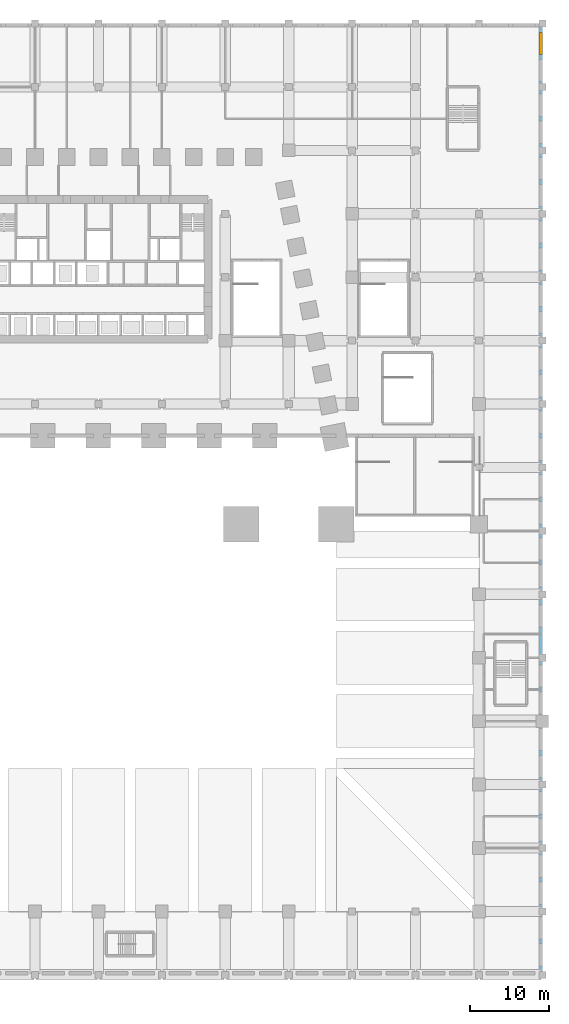
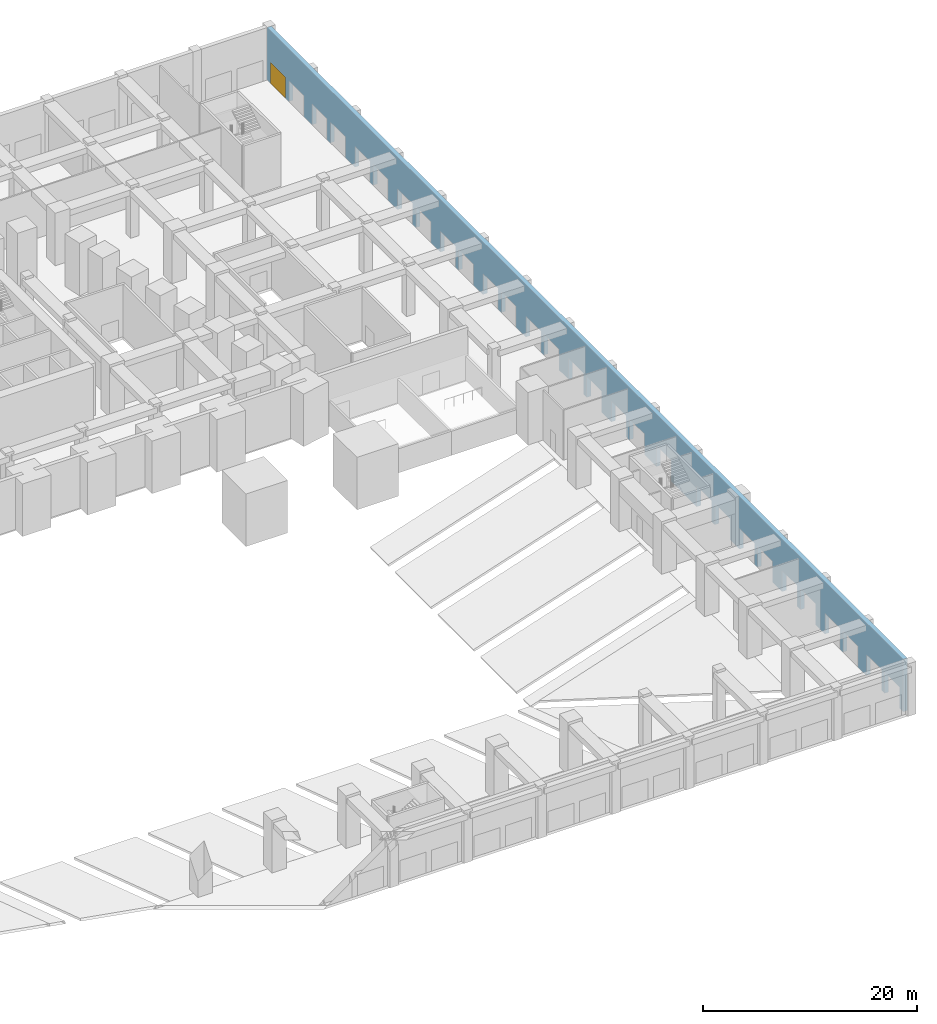
# One storey, part 11 of 28: 1 door, 29 openings, plus 1 element that does not belong to this part.
"""IFC4 building model written with IfcOpenShell, lengths in metres."""

from ifc_helpers import new_model, si_unit, direction, frame, frame_2d, origin, place, context, subcontext, project, spatial, rectangle, extrude, material, layer, layer_set, type_object, element, fill, save


model = new_model("IFC4")

# Units and contexts
model_context = context("Model", 3, precision=1e-05, world=origin(), true_north=direction((0.0, 1.0)))
body_context = subcontext(model_context, "Body", "Model", "MODEL_VIEW")
ifc_project = project(units=[si_unit("LENGTHUNIT", "METRE"), si_unit("AREAUNIT", "SQUARE_METRE"), si_unit("VOLUMEUNIT", "CUBIC_METRE"), si_unit("PLANEANGLEUNIT", "RADIAN"), si_unit("MASSUNIT", "GRAM", prefix="KILO")], contexts=[model_context])

# Site, building, storey
site_placement = place(None, origin())
site = spatial("IfcSite", under=ifc_project, at=site_placement, CompositionType="ELEMENT")
building_placement = place(site_placement, origin())
building = spatial("IfcBuilding", under=site, at=building_placement, Name="Isbrekke Arena Tower", CompositionType="ELEMENT")
storey_placement = place(building_placement, origin())
storey = spatial("IfcBuildingStorey", under=building, at=storey_placement, Name="L00", CompositionType="ELEMENT", Elevation=0.0)

# Wall, openings, door
ifc_material_1 = material(Name="Pale brick facing on concrete backing wall", Category="masonry")
ifc_layer = layer(ifc_material_1, 0.449951171875)
ifc_layer_set = layer_set([ifc_layer], Name="EW1 PODIUM BRICK WALL 450")
wall_type = type_object("IfcWallType", Name="EW1 PODIUM BRICK WALL 450", PredefinedType="SOLIDWALL", material=ifc_layer_set)
wall_placement = place(storey_placement, frame((55.77490234375, -73.550048828125, 0.0), z_axis=(0.0, 0.0, 1.0), x_axis=(0.0, 1.0, 0.0)))
wall = element("IfcWall", 1, at=wall_placement, inside=storey, type_object=wall_type, Name="EW1 podium wall E L00", PredefinedType="SOLIDWALL", context=body_context, shape_type="SweptSolid", body=[
    extrude(rectangle(XDim=119.10009765625, YDim=0.449951171875, at=frame_2d((59.550048828125, 0.0))), origin(), (0.0, 0.0, 1.0), 6.0),
])
opening_1_placement = place(wall_placement, frame((0.675048828125, 0.0, 0.0)))
element("IfcOpeningElement", 2, at=opening_1_placement, cuts=wall, Name="Opening DE1", PredefinedType="OPENING", context=body_context, shape_type="SweptSolid", body=[
    extrude(rectangle(XDim=2.800048828125, YDim=2.39990234375, at=frame_2d((1.39990234375, 1.199951171875))), frame((0.0, 0.23974609375, 0.0), z_axis=(0.0, -1.0, 0.0), x_axis=(1.0, 0.0, 0.0)), (0.0, 0.0, 1.0), 0.479736328125),
])
opening_2_placement = place(wall_placement, frame((4.074951171875, 0.0, 0.0)))
element("IfcOpeningElement", 3, at=opening_2_placement, cuts=wall, Name="Opening DE1", PredefinedType="OPENING", context=body_context, shape_type="SweptSolid", body=[
    extrude(rectangle(XDim=2.800048828125, YDim=2.39990234375, at=frame_2d((1.39990234375, 1.199951171875))), frame((0.0, 0.23974609375, 0.0), z_axis=(0.0, -1.0, 0.0), x_axis=(1.0, 0.0, 0.0)), (0.0, 0.0, 1.0), 0.479736328125),
])
opening_3_placement = place(wall_placement, frame((8.449951171875, 0.0, 0.0)))
element("IfcOpeningElement", 4, at=opening_3_placement, cuts=wall, Name="Opening DE1", PredefinedType="OPENING", context=body_context, shape_type="SweptSolid", body=[
    extrude(rectangle(XDim=2.800048828125, YDim=2.39990234375, at=frame_2d((1.39990234375, 1.199951171875))), frame((0.0, 0.23974609375, 0.0), z_axis=(0.0, -1.0, 0.0), x_axis=(1.0, 0.0, 0.0)), (0.0, 0.0, 1.0), 0.479736328125),
])
opening_4_placement = place(wall_placement, frame((11.85009765625, 0.0, 0.0)))
element("IfcOpeningElement", 5, at=opening_4_placement, cuts=wall, Name="Opening DE1", PredefinedType="OPENING", context=body_context, shape_type="SweptSolid", body=[
    extrude(rectangle(XDim=2.800048828125, YDim=2.39990234375, at=frame_2d((1.39990234375, 1.199951171875))), frame((0.0, 0.23974609375, 0.0), z_axis=(0.0, -1.0, 0.0), x_axis=(1.0, 0.0, 0.0)), (0.0, 0.0, 1.0), 0.479736328125),
])
opening_5_placement = place(wall_placement, frame((16.449951171875, 0.0, 0.0)))
element("IfcOpeningElement", 6, at=opening_5_placement, cuts=wall, Name="Opening DE1", PredefinedType="OPENING", context=body_context, shape_type="SweptSolid", body=[
    extrude(rectangle(XDim=2.800048828125, YDim=2.39990234375, at=frame_2d((1.39990234375, 1.199951171875))), frame((0.0, 0.23974609375, 0.0), z_axis=(0.0, -1.0, 0.0), x_axis=(1.0, 0.0, 0.0)), (0.0, 0.0, 1.0), 0.479736328125),
])
opening_6_placement = place(wall_placement, frame((19.85009765625, 0.0, 0.0)))
element("IfcOpeningElement", 7, at=opening_6_placement, cuts=wall, Name="Opening DE1", PredefinedType="OPENING", context=body_context, shape_type="SweptSolid", body=[
    extrude(rectangle(XDim=2.800048828125, YDim=2.39990234375, at=frame_2d((1.39990234375, 1.199951171875))), frame((0.0, 0.23974609375, 0.0), z_axis=(0.0, -1.0, 0.0), x_axis=(1.0, 0.0, 0.0)), (0.0, 0.0, 1.0), 0.479736328125),
])
opening_7_placement = place(wall_placement, frame((24.449951171875, 0.0, 0.0)))
element("IfcOpeningElement", 8, at=opening_7_placement, cuts=wall, Name="Opening DE1", PredefinedType="OPENING", context=body_context, shape_type="SweptSolid", body=[
    extrude(rectangle(XDim=2.800048828125, YDim=2.39990234375, at=frame_2d((1.39990234375, 1.199951171875))), frame((0.0, 0.23974609375, 0.0), z_axis=(0.0, -1.0, 0.0), x_axis=(1.0, 0.0, 0.0)), (0.0, 0.0, 1.0), 0.479736328125),
])
opening_8_placement = place(wall_placement, frame((27.85009765625, 0.0, 0.0)))
element("IfcOpeningElement", 9, at=opening_8_placement, cuts=wall, Name="Opening DE1", PredefinedType="OPENING", context=body_context, shape_type="SweptSolid", body=[
    extrude(rectangle(XDim=2.800048828125, YDim=2.39990234375, at=frame_2d((1.39990234375, 1.199951171875))), frame((0.0, 0.23974609375, 0.0), z_axis=(0.0, -1.0, 0.0), x_axis=(1.0, 0.0, 0.0)), (0.0, 0.0, 1.0), 0.479736328125),
])
opening_9_placement = place(wall_placement, frame((32.449951171875, 0.0, 0.0)))
element("IfcOpeningElement", 10, at=opening_9_placement, cuts=wall, Name="Opening DE1", PredefinedType="OPENING", context=body_context, shape_type="SweptSolid", body=[
    extrude(rectangle(XDim=2.800048828125, YDim=2.39990234375, at=frame_2d((1.39990234375, 1.199951171875))), frame((0.0, 0.23974609375, 0.0), z_axis=(0.0, -1.0, 0.0), x_axis=(1.0, 0.0, 0.0)), (0.0, 0.0, 1.0), 0.479736328125),
])
opening_10_placement = place(wall_placement, frame((35.85009765625, 0.0, 0.0)))
element("IfcOpeningElement", 11, at=opening_10_placement, cuts=wall, Name="Opening DE1", PredefinedType="OPENING", context=body_context, shape_type="SweptSolid", body=[
    extrude(rectangle(XDim=2.800048828125, YDim=2.39990234375, at=frame_2d((1.39990234375, 1.199951171875))), frame((0.0, 0.23974609375, 0.0), z_axis=(0.0, -1.0, 0.0), x_axis=(1.0, 0.0, 0.0)), (0.0, 0.0, 1.0), 0.479736328125),
])
opening_11_placement = place(wall_placement, frame((43.425048828125, 0.0, 0.0)))
element("IfcOpeningElement", 12, at=opening_11_placement, cuts=wall, Name="Opening DE1", PredefinedType="OPENING", context=body_context, shape_type="SweptSolid", body=[
    extrude(rectangle(XDim=2.800048828125, YDim=2.39990234375, at=frame_2d((1.39990234375, 1.199951171875))), frame((0.0, 0.23974609375, 0.0), z_axis=(0.0, -1.0, 0.0), x_axis=(1.0, 0.0, 0.0)), (0.0, 0.0, 1.0), 0.479736328125),
])
opening_12_placement = place(wall_placement, frame((48.449951171875, 0.0, 0.0)))
element("IfcOpeningElement", 13, at=opening_12_placement, cuts=wall, Name="Opening DE1", PredefinedType="OPENING", context=body_context, shape_type="SweptSolid", body=[
    extrude(rectangle(XDim=2.800048828125, YDim=2.39990234375, at=frame_2d((1.39990234375, 1.199951171875))), frame((0.0, 0.23974609375, 0.0), z_axis=(0.0, -1.0, 0.0), x_axis=(1.0, 0.0, 0.0)), (0.0, 0.0, 1.0), 0.479736328125),
])
opening_13_placement = place(wall_placement, frame((51.85009765625, 0.0, 0.0)))
element("IfcOpeningElement", 14, at=opening_13_placement, cuts=wall, Name="Opening DE1", PredefinedType="OPENING", context=body_context, shape_type="SweptSolid", body=[
    extrude(rectangle(XDim=2.800048828125, YDim=2.39990234375, at=frame_2d((1.39990234375, 1.199951171875))), frame((0.0, 0.23974609375, 0.0), z_axis=(0.0, -1.0, 0.0), x_axis=(1.0, 0.0, 0.0)), (0.0, 0.0, 1.0), 0.479736328125),
])
opening_14_placement = place(wall_placement, frame((56.449951171875, 0.0, 0.0)))
element("IfcOpeningElement", 15, at=opening_14_placement, cuts=wall, Name="Opening DE1", PredefinedType="OPENING", context=body_context, shape_type="SweptSolid", body=[
    extrude(rectangle(XDim=2.800048828125, YDim=2.39990234375, at=frame_2d((1.39990234375, 1.199951171875))), frame((0.0, 0.23974609375, 0.0), z_axis=(0.0, -1.0, 0.0), x_axis=(1.0, 0.0, 0.0)), (0.0, 0.0, 1.0), 0.479736328125),
])
opening_15_placement = place(wall_placement, frame((59.85009765625, 0.0, 0.0)))
element("IfcOpeningElement", 16, at=opening_15_placement, cuts=wall, Name="Opening DE1", PredefinedType="OPENING", context=body_context, shape_type="SweptSolid", body=[
    extrude(rectangle(XDim=2.800048828125, YDim=2.39990234375, at=frame_2d((1.39990234375, 1.199951171875))), frame((0.0, 0.23974609375, 0.0), z_axis=(0.0, -1.0, 0.0), x_axis=(1.0, 0.0, 0.0)), (0.0, 0.0, 1.0), 0.479736328125),
])
opening_16_placement = place(wall_placement, frame((64.449951171875, 0.0, 0.0)))
element("IfcOpeningElement", 17, at=opening_16_placement, cuts=wall, Name="Opening DE1", PredefinedType="OPENING", context=body_context, shape_type="SweptSolid", body=[
    extrude(rectangle(XDim=2.800048828125, YDim=2.39990234375, at=frame_2d((1.39990234375, 1.199951171875))), frame((0.0, 0.23974609375, 0.0), z_axis=(0.0, -1.0, 0.0), x_axis=(1.0, 0.0, 0.0)), (0.0, 0.0, 1.0), 0.479736328125),
])
opening_17_placement = place(wall_placement, frame((67.85009765625, 0.0, 0.0)))
element("IfcOpeningElement", 18, at=opening_17_placement, cuts=wall, Name="Opening DE1", PredefinedType="OPENING", context=body_context, shape_type="SweptSolid", body=[
    extrude(rectangle(XDim=2.800048828125, YDim=2.39990234375, at=frame_2d((1.39990234375, 1.199951171875))), frame((0.0, 0.23974609375, 0.0), z_axis=(0.0, -1.0, 0.0), x_axis=(1.0, 0.0, 0.0)), (0.0, 0.0, 1.0), 0.479736328125),
])
opening_18_placement = place(wall_placement, frame((72.449951171875, 0.0, 0.0)))
element("IfcOpeningElement", 19, at=opening_18_placement, cuts=wall, Name="Opening DE1", PredefinedType="OPENING", context=body_context, shape_type="SweptSolid", body=[
    extrude(rectangle(XDim=2.800048828125, YDim=2.39990234375, at=frame_2d((1.39990234375, 1.199951171875))), frame((0.0, 0.23974609375, 0.0), z_axis=(0.0, -1.0, 0.0), x_axis=(1.0, 0.0, 0.0)), (0.0, 0.0, 1.0), 0.479736328125),
])
opening_19_placement = place(wall_placement, frame((75.85009765625, 0.0, 0.0)))
element("IfcOpeningElement", 20, at=opening_19_placement, cuts=wall, Name="Opening DE1", PredefinedType="OPENING", context=body_context, shape_type="SweptSolid", body=[
    extrude(rectangle(XDim=2.800048828125, YDim=2.39990234375, at=frame_2d((1.39990234375, 1.199951171875))), frame((0.0, 0.23974609375, 0.0), z_axis=(0.0, -1.0, 0.0), x_axis=(1.0, 0.0, 0.0)), (0.0, 0.0, 1.0), 0.479736328125),
])
opening_20_placement = place(wall_placement, frame((80.449951171875, 0.0, 0.0)))
element("IfcOpeningElement", 21, at=opening_20_placement, cuts=wall, Name="Opening DE1", PredefinedType="OPENING", context=body_context, shape_type="SweptSolid", body=[
    extrude(rectangle(XDim=2.800048828125, YDim=2.39990234375, at=frame_2d((1.39990234375, 1.199951171875))), frame((0.0, 0.23974609375, 0.0), z_axis=(0.0, -1.0, 0.0), x_axis=(1.0, 0.0, 0.0)), (0.0, 0.0, 1.0), 0.479736328125),
])
opening_21_placement = place(wall_placement, frame((83.85009765625, 0.0, 0.0)))
element("IfcOpeningElement", 22, at=opening_21_placement, cuts=wall, Name="Opening DE1", PredefinedType="OPENING", context=body_context, shape_type="SweptSolid", body=[
    extrude(rectangle(XDim=2.800048828125, YDim=2.39990234375, at=frame_2d((1.39990234375, 1.199951171875))), frame((0.0, 0.23974609375, 0.0), z_axis=(0.0, -1.0, 0.0), x_axis=(1.0, 0.0, 0.0)), (0.0, 0.0, 1.0), 0.479736328125),
])
opening_22_placement = place(wall_placement, frame((88.449951171875, 0.0, 0.0)))
element("IfcOpeningElement", 23, at=opening_22_placement, cuts=wall, Name="Opening DE1", PredefinedType="OPENING", context=body_context, shape_type="SweptSolid", body=[
    extrude(rectangle(XDim=2.800048828125, YDim=2.39990234375, at=frame_2d((1.39990234375, 1.199951171875))), frame((0.0, 0.23974609375, 0.0), z_axis=(0.0, -1.0, 0.0), x_axis=(1.0, 0.0, 0.0)), (0.0, 0.0, 1.0), 0.479736328125),
])
opening_23_placement = place(wall_placement, frame((91.85009765625, 0.0, 0.0)))
element("IfcOpeningElement", 24, at=opening_23_placement, cuts=wall, Name="Opening DE1", PredefinedType="OPENING", context=body_context, shape_type="SweptSolid", body=[
    extrude(rectangle(XDim=2.800048828125, YDim=2.39990234375, at=frame_2d((1.39990234375, 1.199951171875))), frame((0.0, 0.23974609375, 0.0), z_axis=(0.0, -1.0, 0.0), x_axis=(1.0, 0.0, 0.0)), (0.0, 0.0, 1.0), 0.479736328125),
])
opening_24_placement = place(wall_placement, frame((96.449951171875, 0.0, 0.0)))
element("IfcOpeningElement", 25, at=opening_24_placement, cuts=wall, Name="Opening DE1", PredefinedType="OPENING", context=body_context, shape_type="SweptSolid", body=[
    extrude(rectangle(XDim=2.800048828125, YDim=2.39990234375, at=frame_2d((1.39990234375, 1.199951171875))), frame((0.0, 0.23974609375, 0.0), z_axis=(0.0, -1.0, 0.0), x_axis=(1.0, 0.0, 0.0)), (0.0, 0.0, 1.0), 0.479736328125),
])
opening_25_placement = place(wall_placement, frame((99.85009765625, 0.0, 0.0)))
element("IfcOpeningElement", 26, at=opening_25_placement, cuts=wall, Name="Opening DE1", PredefinedType="OPENING", context=body_context, shape_type="SweptSolid", body=[
    extrude(rectangle(XDim=2.800048828125, YDim=2.39990234375, at=frame_2d((1.39990234375, 1.199951171875))), frame((0.0, 0.23974609375, 0.0), z_axis=(0.0, -1.0, 0.0), x_axis=(1.0, 0.0, 0.0)), (0.0, 0.0, 1.0), 0.479736328125),
])
opening_26_placement = place(wall_placement, frame((104.449951171875, 0.0, 0.0)))
element("IfcOpeningElement", 27, at=opening_26_placement, cuts=wall, Name="Opening DE1", PredefinedType="OPENING", context=body_context, shape_type="SweptSolid", body=[
    extrude(rectangle(XDim=2.800048828125, YDim=2.39990234375, at=frame_2d((1.39990234375, 1.199951171875))), frame((0.0, 0.23974609375, 0.0), z_axis=(0.0, -1.0, 0.0), x_axis=(1.0, 0.0, 0.0)), (0.0, 0.0, 1.0), 0.479736328125),
])
opening_27_placement = place(wall_placement, frame((107.85009765625, 0.0, 0.0)))
element("IfcOpeningElement", 28, at=opening_27_placement, cuts=wall, Name="Opening DE1", PredefinedType="OPENING", context=body_context, shape_type="SweptSolid", body=[
    extrude(rectangle(XDim=2.800048828125, YDim=2.39990234375, at=frame_2d((1.39990234375, 1.199951171875))), frame((0.0, 0.23974609375, 0.0), z_axis=(0.0, -1.0, 0.0), x_axis=(1.0, 0.0, 0.0)), (0.0, 0.0, 1.0), 0.479736328125),
])
opening_28_placement = place(wall_placement, frame((112.22509765625, 0.0, 0.0)))
element("IfcOpeningElement", 29, at=opening_28_placement, cuts=wall, Name="Opening DE1", PredefinedType="OPENING", context=body_context, shape_type="SweptSolid", body=[
    extrude(rectangle(XDim=2.800048828125, YDim=2.39990234375, at=frame_2d((1.39990234375, 1.199951171875))), frame((0.0, 0.23974609375, 0.0), z_axis=(0.0, -1.0, 0.0), x_axis=(1.0, 0.0, 0.0)), (0.0, 0.0, 1.0), 0.479736328125),
])
opening_29_placement = place(wall_placement, frame((115.625, 0.0, 0.0)))
opening_29 = element("IfcOpeningElement", 30, at=opening_29_placement, cuts=wall, Name="Opening DE1", PredefinedType="OPENING", context=body_context, shape_type="SweptSolid", body=[
    extrude(rectangle(XDim=2.800048828125, YDim=2.39990234375, at=frame_2d((1.39990234375, 1.199951171875))), frame((0.0, 0.23974609375, 0.0), z_axis=(0.0, -1.0, 0.0), x_axis=(1.0, 0.0, 0.0)), (0.0, 0.0, 1.0), 0.479736328125),
])
ifc_material_2 = material(Name="Steel-framed glazed double door", Category="steel")
door_type = type_object("IfcDoorType", Name="DE1 EXIT DOOR 2800 x 2400", OperationType="DOUBLE_DOOR_SINGLE_SWING", PredefinedType="DOOR", material=ifc_material_2)
door_placement = place(opening_29_placement, frame((2.800048828125, 0.0, 0.0), z_axis=(0.0, 0.0, 1.0), x_axis=(-1.0, 0.0, 0.0)))
door = element("IfcDoor", 31, at=door_placement, inside=storey, type_object=door_type, Name="DE1 exit door E-15b", OperationType="DOUBLE_DOOR_SINGLE_SWING", OverallHeight=2.39990234375, OverallWidth=2.800048828125, PredefinedType="DOOR", context=body_context, shape_type="SweptSolid", body=[
    extrude(rectangle(XDim=2.800048828125, YDim=2.39990234375, at=frame_2d((1.39990234375, 1.199951171875))), frame((0.0, 0.224609375, 0.0), z_axis=(0.0, -1.0, 0.0), x_axis=(1.0, 0.0, 0.0)), (0.0, 0.0, 1.0), 0.449462890625),
])
fill(opening_29, door)

save(model, "model.ifc")
